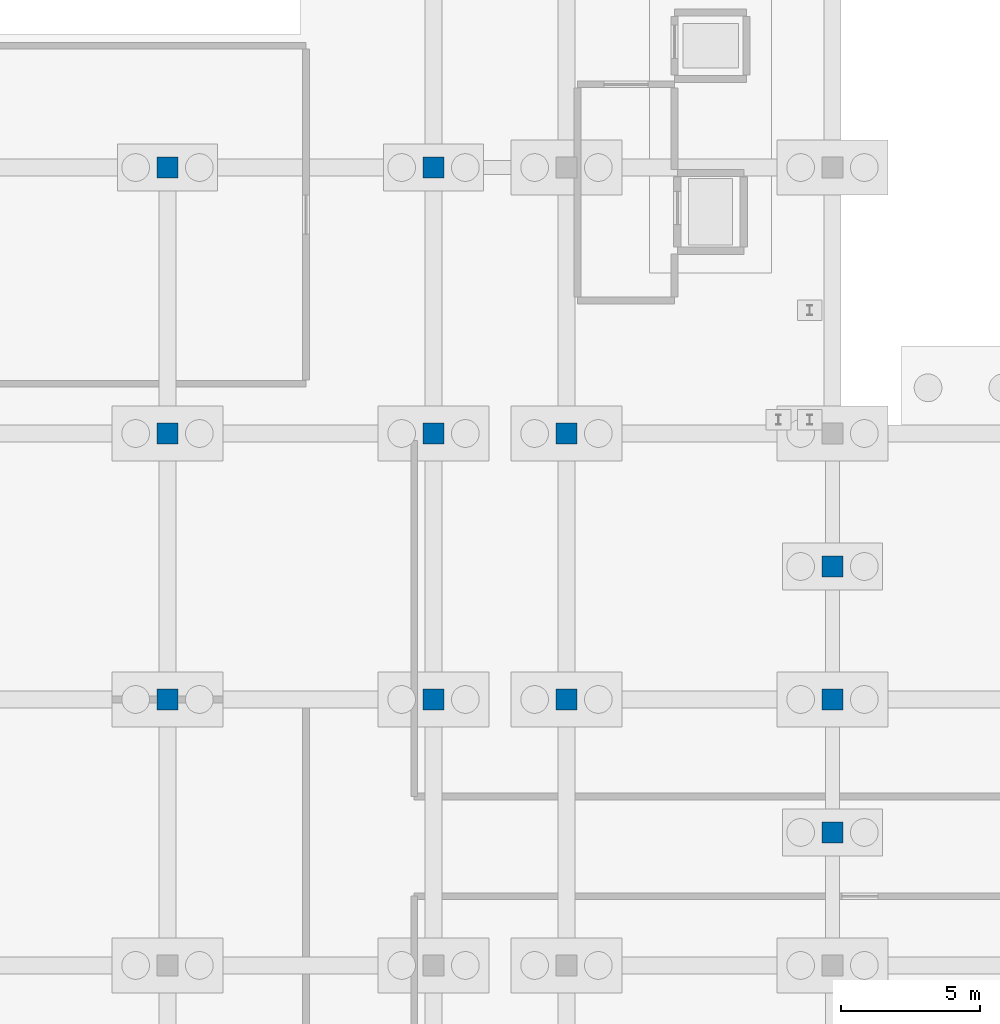
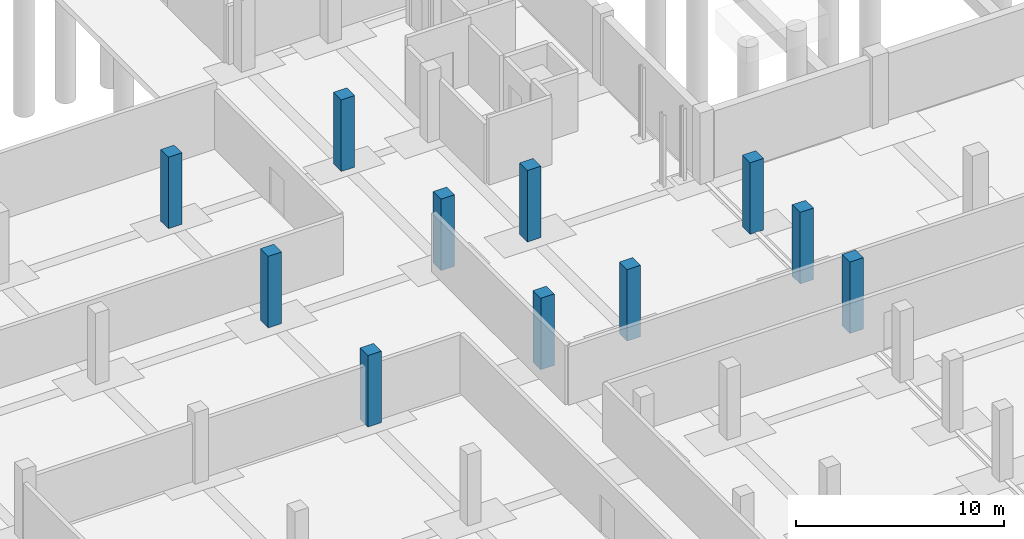
# One storey, part 20 of 54: 11 columns.
"""IFC4 building model written with IfcOpenShell, lengths in metres."""

from ifc_helpers import new_model, si_unit, direction, frame, origin, origin_2d, place, context, subcontext, project, spatial, rectangle, extrude, material, material_profile, profile_set, type_object, element, save


model = new_model("IFC4")

# Units and contexts
model_context = context("Model", 3, precision=1e-05, world=origin(), true_north=direction((0.0, 1.0)))
body_context = subcontext(model_context, "Body", "Model", "MODEL_VIEW")
ifc_project = project(units=[si_unit("LENGTHUNIT", "METRE"), si_unit("AREAUNIT", "SQUARE_METRE"), si_unit("VOLUMEUNIT", "CUBIC_METRE"), si_unit("PLANEANGLEUNIT", "RADIAN"), si_unit("MASSUNIT", "GRAM", prefix="KILO")], contexts=[model_context])

# Site, building, storey
site_placement = place(None, origin())
site = spatial("IfcSite", under=ifc_project, at=site_placement, CompositionType="ELEMENT")
building_placement = place(site_placement, origin())
building = spatial("IfcBuilding", under=site, at=building_placement, Name="Zevrakil Square Congress Hotel", CompositionType="ELEMENT")
storey_placement = place(building_placement, frame((0.0, 0.0, -8.39990234375)))
storey = spatial("IfcBuildingStorey", under=building, at=storey_placement, Name="B2", CompositionType="ELEMENT", Elevation=-8.39990234375)

# Columns
ifc_material = material(Name="Concrete C40/50", Category="concrete")
ifc_material_profile = material_profile(ifc_material, rectangle(XDim=0.75, YDim=0.75, at=origin_2d()), Name="RC 750x750")
ifc_profile_set = profile_set([ifc_material_profile], Name="Concrete C40/50")
column_type = type_object("IfcColumnType", Name="COL-RC750", PredefinedType="COLUMN", material=ifc_profile_set)
for number, where, z_axis, x_axis, name in (
    (1, (93.60009765625, 36.0, 0.0), (0.0, 0.0, 1.0), (1.0, 0.0, 0.0), "B2 column C-141"),
    (2, (93.60009765625, 45.60009765625, 0.0), (0.0, 0.0, 1.0), (1.0, 0.0, 0.0), "B2 column C-142"),
    (3, (93.60009765625, 55.199951171875, 0.0), (0.0, 0.0, 1.0), (1.0, 0.0, 0.0), "B2 column C-143"),
    (4, (103.199951171875, 36.0, 0.0), (0.0, 0.0, 1.0), (1.0, 0.0, 0.0), "B2 column C-153"),
    (5, (103.199951171875, 45.60009765625, 0.0), (0.0, 0.0, 1.0), (1.0, 0.0, 0.0), "B2 column C-154"),
    (6, (103.199951171875, 55.199951171875, 0.0), (0.0, 0.0, 1.0), (1.0, 0.0, 0.0), "B2 column C-155"),
    (7, (108.0, 36.0, 0.0), (0.0, 0.0, 1.0), (1.0, 0.0, 0.0), "B2 column C-167"),
    (8, (108.0, 45.60009765625, 0.0), (0.0, 0.0, 1.0), (1.0, 0.0, 0.0), "B2 column C-168"),
    (9, (117.60009765625, 31.199951171875, 0.0), (0.0, 0.0, 1.0), (1.0, 0.0, 0.0), "B2 column C-183"),
    (10, (117.60009765625, 36.0, 0.0), (0.0, 0.0, 1.0), (1.0, 0.0, 0.0), "B2 column C-184"),
    (11, (117.60009765625, 40.800048828125, 0.0), (0.0, 0.0, 1.0), (1.0, 0.0, 0.0), "B2 column C-185"),
):
    element("IfcColumn", number, at=place(storey_placement, frame(where, z_axis=z_axis, x_axis=x_axis)), inside=storey, type_object=column_type, Name=name, PredefinedType="COLUMN", context=body_context, shape_type="SweptSolid", body=[
        extrude(rectangle(XDim=0.75, YDim=0.75, at=origin_2d()), origin(), (0.0, 0.0, 1.0), 4.199951171875),
    ])

save(model, "model.ifc")
